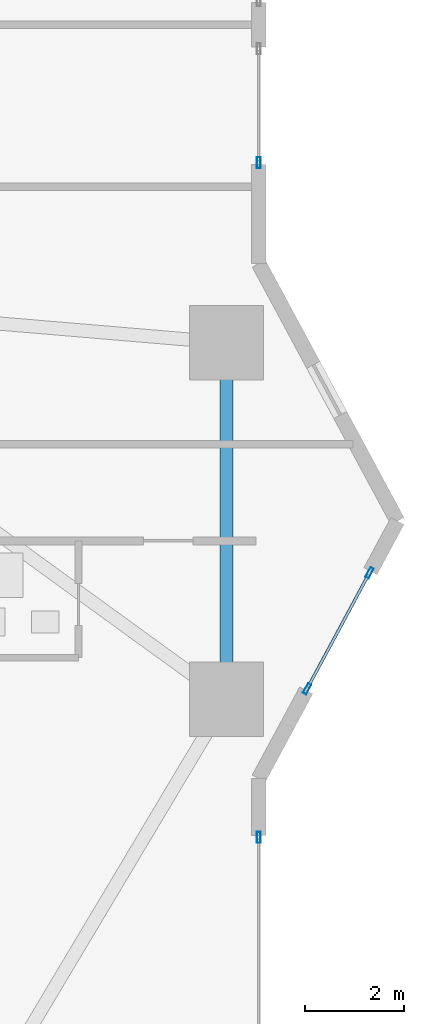
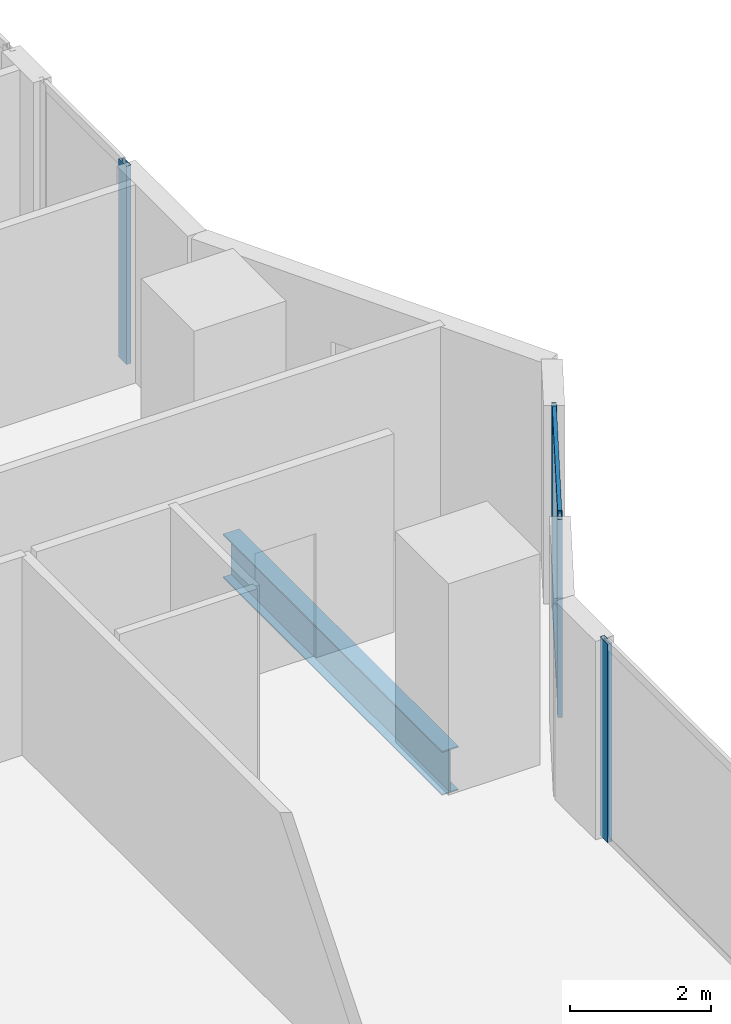
# One storey, part 12 of 29: 6 members, 1 beam, 3 elements without a shape of their own.
"""IFC4 building model written with IfcOpenShell, lengths in metres."""

from ifc_helpers import new_model, si_unit, direction, frame, origin, origin_2d, place, context, subcontext, project, spatial, hollow_rectangle, i_section, extrude, material, layer, layer_set, material_profile, profile_set, type_object, element, aggregate, save


model = new_model("IFC4")

# Units and contexts
model_context = context("Model", 3, precision=1e-05, world=origin(), true_north=direction((0.0, 1.0)))
body_context = subcontext(model_context, "Body", "Model", "MODEL_VIEW")
ifc_project = project(units=[si_unit("LENGTHUNIT", "METRE"), si_unit("AREAUNIT", "SQUARE_METRE"), si_unit("VOLUMEUNIT", "CUBIC_METRE"), si_unit("PLANEANGLEUNIT", "RADIAN"), si_unit("MASSUNIT", "GRAM", prefix="KILO")], contexts=[model_context])

# Site, building, storey
site_placement = place(None, origin())
site = spatial("IfcSite", under=ifc_project, at=site_placement, CompositionType="ELEMENT")
building_placement = place(site_placement, origin())
building = spatial("IfcBuilding", under=site, at=building_placement, Name="Zuhayl Quay Hotel", CompositionType="ELEMENT")
storey_placement = place(building_placement, frame((0.0, 0.0, 60.449951171875)))
storey = spatial("IfcBuildingStorey", under=building, at=storey_placement, Name="L14", CompositionType="ELEMENT", Elevation=60.449951171875)

# Beam
ifc_material_1 = material(Name="Steel ASTM A992 Grade 50", Category="steel")
ifc_material_profile_1 = material_profile(ifc_material_1, i_section(OverallWidth=0.26708984375, OverallDepth=0.761962890625, WebThickness=0.014404296875, FlangeThickness=0.021484375, at=origin_2d()), Name="W30X116")
ifc_profile_set_1 = profile_set([ifc_material_profile_1], Name="Steel ASTM A992 Grade 50")
beam_type = type_object("IfcBeamType", Name="BM_B1_W30X116", PredefinedType="BEAM", material=ifc_profile_set_1)
beam_placement = place(storey_placement, frame((25.050048828125, -3.10009765625, -0.600830078125), z_axis=(0.0, 1.0, 0.0), x_axis=(-1.0, 0.0, 0.0)))
element("IfcBeam", 1, at=beam_placement, inside=storey, type_object=beam_type, Name="L14 Floor Beam RG_L14_05", PredefinedType="BEAM", context=body_context, shape_type="SweptSolid", body=[
    extrude(i_section(OverallWidth=0.26708984375, OverallDepth=0.761962890625, WebThickness=0.014404296875, FlangeThickness=0.021484375, at=origin_2d()), origin(), (0.0, 0.0, 1.0), 6.2001953125),
])

# Curtain wall, member
ifc_material_2 = material(Name="Anodised Aluminium 6063-T6", Category="aluminium")
ifc_layer = layer(ifc_material_2, 0.18994140625, Name="Anodised Aluminium 6063-T6", Category="aluminium")
ifc_layer_set = layer_set([ifc_layer], Name="Anodised Aluminium 6063-T6")
curtain_wall_type = type_object("IfcCurtainWallType", Name="CW_SYS_Z1", PredefinedType="USERDEFINED", material=ifc_layer_set)
curtain_wall_1_placement = place(storey_placement, origin())
curtain_wall_1 = element("IfcCurtainWall", 2, at=curtain_wall_1_placement, inside=storey, type_object=curtain_wall_type, Name="L14 Curtain Wall ENV_L14_E11_CW2", ObjectType="UNITISED CURTAIN WALL", PredefinedType="USERDEFINED")
ifc_material_3 = material(Name="Black-anodised aluminium 6063-T6", Category="aluminium")
ifc_material_profile_2 = material_profile(ifc_material_3, hollow_rectangle(XDim=0.074951171875, YDim=0.219970703125, WallThickness=0.00390625, at=origin_2d()), Name="ALU220X75")
ifc_profile_set_2 = profile_set([ifc_material_profile_2], Name="Black-anodised aluminium 6063-T6")
member_type_1 = type_object("IfcMemberType", Name="MB_CW_MUL_220", PredefinedType="MULLION", material=ifc_profile_set_2)
member_1_placement = place(storey_placement, frame((25.699951171875, 7.237548828125, 0.0), z_axis=(0.0, 0.0, 1.0), x_axis=(1.0, 0.0, 0.0)))
member_1 = element("IfcMember", 3, at=member_1_placement, type_object=member_type_1, Name="CW-Z1 mullion 2", PredefinedType="MULLION", context=body_context, shape_type="SweptSolid", body=[
    extrude(hollow_rectangle(XDim=0.074951171875, YDim=0.219970703125, WallThickness=0.00390625, at=origin_2d()), origin(), (0.0, 0.0, 1.0), 3.429931640625),
])
aggregate(curtain_wall_1, [member_1])

# Curtain wall, members
curtain_wall_2_placement = place(storey_placement, origin())
curtain_wall_2 = element("IfcCurtainWall", 4, at=curtain_wall_2_placement, inside=storey, type_object=curtain_wall_type, Name="L14 Curtain Wall ENV_L14_E13_CW1", ObjectType="UNITISED CURTAIN WALL", PredefinedType="USERDEFINED")
member_2_placement = place(storey_placement, frame((27.93701171875, -1.04541015625, 0.0), z_axis=(0.0, 0.0, 1.0), x_axis=(0.880475795468, -0.474091102632, 0.0)))
member_2 = element("IfcMember", 5, at=member_2_placement, type_object=member_type_1, Name="CW-Z1 mullion 1", PredefinedType="MULLION", context=body_context, shape_type="SweptSolid", body=[
    extrude(hollow_rectangle(XDim=0.074951171875, YDim=0.219970703125, WallThickness=0.00390625, at=origin_2d()), origin(), (0.0, 0.0, 1.0), 3.429931640625),
])
member_3_placement = place(storey_placement, frame((26.67578125, -3.387939453125, 0.0), z_axis=(0.0, 0.0, 1.0), x_axis=(0.880475795468, -0.474091102632, 0.0)))
member_3 = element("IfcMember", 6, at=member_3_placement, type_object=member_type_1, Name="CW-Z1 mullion 2", PredefinedType="MULLION", context=body_context, shape_type="SweptSolid", body=[
    extrude(hollow_rectangle(XDim=0.074951171875, YDim=0.219970703125, WallThickness=0.00390625, at=origin_2d()), origin(), (0.0, 0.0, 1.0), 3.429931640625),
])

# Curtain wall, member
curtain_wall_3_placement = place(storey_placement, origin())
curtain_wall_3 = element("IfcCurtainWall", 7, at=curtain_wall_3_placement, inside=storey, type_object=curtain_wall_type, Name="L14 Curtain Wall ENV_L14_E14_CW1", ObjectType="UNITISED CURTAIN WALL", PredefinedType="USERDEFINED")
member_4_placement = place(storey_placement, frame((25.699951171875, -6.387451171875, 0.0), z_axis=(0.0, 0.0, 1.0), x_axis=(1.0, 0.0, 0.0)))
member_4 = element("IfcMember", 8, at=member_4_placement, type_object=member_type_1, Name="CW-Z1 mullion 1", PredefinedType="MULLION", context=body_context, shape_type="SweptSolid", body=[
    extrude(hollow_rectangle(XDim=0.074951171875, YDim=0.219970703125, WallThickness=0.00390625, at=origin_2d()), origin(), (0.0, 0.0, 1.0), 3.429931640625),
])
aggregate(curtain_wall_3, [member_4])

# Member
ifc_material_profile_3 = material_profile(ifc_material_3, hollow_rectangle(XDim=0.06005859375, YDim=0.14990234375, WallThickness=0.00341796875, at=origin_2d()), Name="ALU150X60")
ifc_profile_set_3 = profile_set([ifc_material_profile_3], Name="Black-anodised aluminium 6063-T6")
member_type_2 = type_object("IfcMemberType", Name="MB_CW_TRN_150", PredefinedType="USERDEFINED", material=ifc_profile_set_3)
member_5_placement = place(storey_placement, frame((27.919189453125, -1.07861328125, 0.030029296875), z_axis=(-0.474054771703, -0.880495356845, 0.0), x_axis=(0.880495356845, -0.474054771703, 0.0)))
member_5 = element("IfcMember", 9, at=member_5_placement, type_object=member_type_2, Name="CW-Z1 transom 1.1", ObjectType="TRANSOM", PredefinedType="USERDEFINED", context=body_context, shape_type="SweptSolid", body=[
    extrude(hollow_rectangle(XDim=0.06005859375, YDim=0.14990234375, WallThickness=0.00341796875, at=origin_2d()), origin(), (0.0, 0.0, 1.0), 2.585205078125),
])

member_6_placement = place(storey_placement, frame((27.919189453125, -1.07861328125, 3.400146484375), z_axis=(-0.474054771703, -0.880495356845, 0.0), x_axis=(0.880495356845, -0.474054771703, 0.0)))
member_6 = element("IfcMember", 10, at=member_6_placement, type_object=member_type_2, Name="CW-Z1 transom 1.2", ObjectType="TRANSOM", PredefinedType="USERDEFINED", context=body_context, shape_type="SweptSolid", body=[
    extrude(hollow_rectangle(XDim=0.06005859375, YDim=0.14990234375, WallThickness=0.00341796875, at=origin_2d()), origin(), (0.0, 0.0, 1.0), 2.585205078125),
])

aggregate(curtain_wall_2, [member_2, member_3, member_5, member_6])

save(model, "model.ifc")
